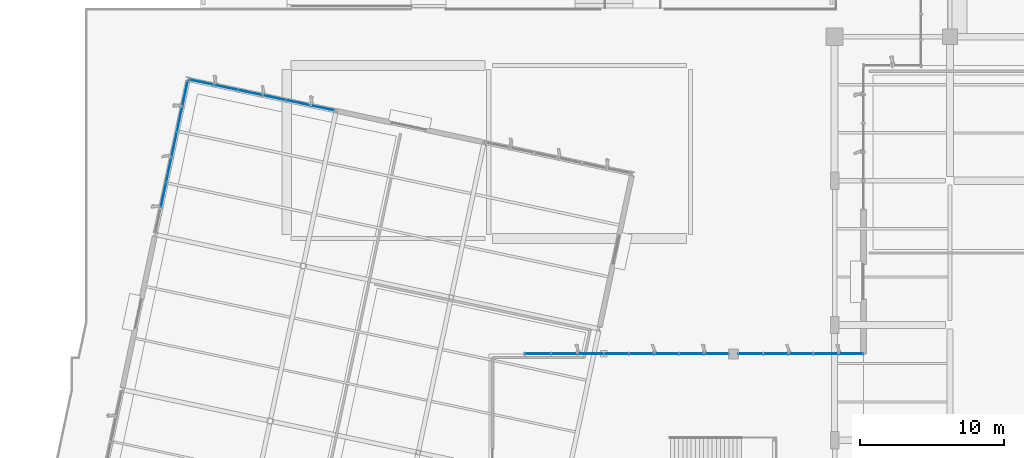
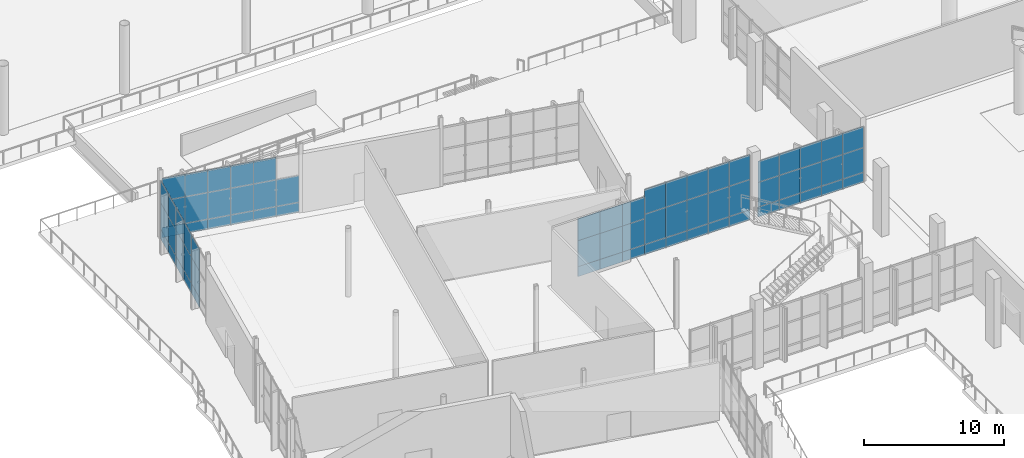
# One storey, part 112 of 163: 71 plates, 5 elements without a shape of their own.
"""IFC4 building model written with IfcOpenShell, lengths in metres."""

from ifc_helpers import new_model, si_unit, direction, frame, origin, origin_2d, place, context, subcontext, project, spatial, rectangle, extrude, material, layer, layer_set, type_object, element, aggregate, save


model = new_model("IFC4")

# Units and contexts
model_context = context("Model", 3, precision=1e-05, world=origin(), true_north=direction((0.0, 1.0)))
body_context = subcontext(model_context, "Body", "Model", "MODEL_VIEW")
ifc_project = project(units=[si_unit("LENGTHUNIT", "METRE"), si_unit("AREAUNIT", "SQUARE_METRE"), si_unit("VOLUMEUNIT", "CUBIC_METRE"), si_unit("PLANEANGLEUNIT", "RADIAN"), si_unit("MASSUNIT", "GRAM", prefix="KILO")], contexts=[model_context])

# Site, building, storey
site_placement = place(None, origin())
site = spatial("IfcSite", under=ifc_project, at=site_placement, CompositionType="ELEMENT")
building_placement = place(site_placement, origin())
building = spatial("IfcBuilding", under=site, at=building_placement, Name="Khorjan Park Terminus", CompositionType="ELEMENT")
storey_placement = place(building_placement, origin())
storey = spatial("IfcBuildingStorey", under=building, at=storey_placement, Name="L00", CompositionType="ELEMENT", Elevation=0.0)

# Curtain wall, plates
ifc_material_1 = material(Name="Anodized Bronze Aluminium", Category="aluminium")
ifc_layer_1 = layer(ifc_material_1, 0.22)
ifc_layer_set_1 = layer_set([ifc_layer_1], Name="Anodized Bronze Aluminium")
curtain_wall_type = type_object("IfcCurtainWallType", Name="CW-PAV-C", PredefinedType="NOTDEFINED", material=ifc_layer_set_1)
curtain_wall_1_placement = place(storey_placement, origin())
curtain_wall_1 = element("IfcCurtainWall", 1, at=curtain_wall_1_placement, inside=storey, type_object=curtain_wall_type, Name="Unitized curtain wall CW-C (CW-V4-N-L00-B03)", PredefinedType="NOTDEFINED")
ifc_material_2 = material(Name="Low-E Solar Control Double Glazing", Category="glass")
ifc_layer_2 = layer(ifc_material_2, 0.032)
ifc_layer_set_2 = layer_set([ifc_layer_2], Name="Low-E Solar Control Double Glazing")
plate_type_1 = type_object("IfcPlateType", Name="GL-VIS-32", PredefinedType="CURTAIN_PANEL", material=ifc_layer_set_2)
plate_1_placement = place(storey_placement, frame((12.4661, 83.0579, 0.8499), z_axis=(0.0, 0.0, 1.0), x_axis=(-0.978147146591, 0.207913827382, 0.0)))
plate_1 = element("IfcPlate", 2, at=plate_1_placement, type_object=plate_type_1, Name="Curtain-wall panel VP-32 (CW-V4-N-L00-B03-0-2)", PredefinedType="CURTAIN_PANEL", context=body_context, shape_type="SweptSolid", body=[
    extrude(rectangle(XDim=1.7084, YDim=0.032, at=origin_2d()), origin(), (0.0, 0.0, 1.0), 2.3275),
])
plate_2_placement = place(storey_placement, frame((10.7951, 83.4131, 0.8499), z_axis=(0.0, 0.0, 1.0), x_axis=(-0.978147146591, 0.207913827382, 0.0)))
plate_2 = element("IfcPlate", 3, at=plate_2_placement, type_object=plate_type_1, Name="Curtain-wall panel VP-32 (CW-V4-N-L00-B03-1-2)", PredefinedType="CURTAIN_PANEL", context=body_context, shape_type="SweptSolid", body=[
    extrude(rectangle(XDim=1.7084, YDim=0.032, at=origin_2d()), origin(), (0.0, 0.0, 1.0), 2.3275),
])
plate_3_placement = place(storey_placement, frame((10.7951, 83.4131, 3.1775), z_axis=(0.0, 0.0, 1.0), x_axis=(-0.978147146591, 0.207913827382, 0.0)))
plate_3 = element("IfcPlate", 4, at=plate_3_placement, type_object=plate_type_1, Name="Curtain-wall panel VP-32 (CW-V4-N-L00-B03-1-3)", PredefinedType="CURTAIN_PANEL", context=body_context, shape_type="SweptSolid", body=[
    extrude(rectangle(XDim=1.7084, YDim=0.032, at=origin_2d()), origin(), (0.0, 0.0, 1.0), 1.9575),
])
plate_4_placement = place(storey_placement, frame((9.1241, 83.7683, 0.8499), z_axis=(0.0, 0.0, 1.0), x_axis=(-0.978147146591, 0.207913827382, 0.0)))
plate_4 = element("IfcPlate", 5, at=plate_4_placement, type_object=plate_type_1, Name="Curtain-wall panel VP-32 (CW-V4-N-L00-B03-2-2)", PredefinedType="CURTAIN_PANEL", context=body_context, shape_type="SweptSolid", body=[
    extrude(rectangle(XDim=1.7084, YDim=0.032, at=origin_2d()), origin(), (0.0, 0.0, 1.0), 2.3275),
])
plate_5_placement = place(storey_placement, frame((9.1241, 83.7683, 3.1775), z_axis=(0.0, 0.0, 1.0), x_axis=(-0.978147146591, 0.207913827382, 0.0)))
plate_5 = element("IfcPlate", 6, at=plate_5_placement, type_object=plate_type_1, Name="Curtain-wall panel VP-32 (CW-V4-N-L00-B03-2-3)", PredefinedType="CURTAIN_PANEL", context=body_context, shape_type="SweptSolid", body=[
    extrude(rectangle(XDim=1.7084, YDim=0.032, at=origin_2d()), origin(), (0.0, 0.0, 1.0), 1.9575),
])
plate_6_placement = place(storey_placement, frame((7.453, 84.1235, 0.8499), z_axis=(0.0, 0.0, 1.0), x_axis=(-0.978147146591, 0.207913827382, 0.0)))
plate_6 = element("IfcPlate", 7, at=plate_6_placement, type_object=plate_type_1, Name="Curtain-wall panel VP-32 (CW-V4-N-L00-B03-3-2)", PredefinedType="CURTAIN_PANEL", context=body_context, shape_type="SweptSolid", body=[
    extrude(rectangle(XDim=1.7084, YDim=0.032, at=origin_2d()), origin(), (0.0, 0.0, 1.0), 2.3275),
])
plate_7_placement = place(storey_placement, frame((7.453, 84.1235, 3.1775), z_axis=(0.0, 0.0, 1.0), x_axis=(-0.978147146591, 0.207913827382, 0.0)))
plate_7 = element("IfcPlate", 8, at=plate_7_placement, type_object=plate_type_1, Name="Curtain-wall panel VP-32 (CW-V4-N-L00-B03-3-3)", PredefinedType="CURTAIN_PANEL", context=body_context, shape_type="SweptSolid", body=[
    extrude(rectangle(XDim=1.7084, YDim=0.032, at=origin_2d()), origin(), (0.0, 0.0, 1.0), 1.9575),
])
plate_8_placement = place(storey_placement, frame((5.7819, 84.4787, 0.8499), z_axis=(0.0, 0.0, 1.0), x_axis=(-0.978147146591, 0.207913827382, 0.0)))
plate_8 = element("IfcPlate", 9, at=plate_8_placement, type_object=plate_type_1, Name="Curtain-wall panel VP-32 (CW-V4-N-L00-B03-4-2)", PredefinedType="CURTAIN_PANEL", context=body_context, shape_type="SweptSolid", body=[
    extrude(rectangle(XDim=1.7084, YDim=0.032, at=origin_2d()), origin(), (0.0, 0.0, 1.0), 2.3275),
])
plate_9_placement = place(storey_placement, frame((5.7819, 84.4787, 3.1775), z_axis=(0.0, 0.0, 1.0), x_axis=(-0.978147146591, 0.207913827382, 0.0)))
plate_9 = element("IfcPlate", 10, at=plate_9_placement, type_object=plate_type_1, Name="Curtain-wall panel VP-32 (CW-V4-N-L00-B03-4-3)", PredefinedType="CURTAIN_PANEL", context=body_context, shape_type="SweptSolid", body=[
    extrude(rectangle(XDim=1.7084, YDim=0.032, at=origin_2d()), origin(), (0.0, 0.0, 1.0), 1.9575),
])
plate_10_placement = place(storey_placement, frame((4.1109, 84.8339, 0.8499), z_axis=(0.0, 0.0, 1.0), x_axis=(-0.978147146591, 0.207913827382, 0.0)))
plate_10 = element("IfcPlate", 11, at=plate_10_placement, type_object=plate_type_1, Name="Curtain-wall panel VP-32 (CW-V4-N-L00-B03-5-2)", PredefinedType="CURTAIN_PANEL", context=body_context, shape_type="SweptSolid", body=[
    extrude(rectangle(XDim=1.7084, YDim=0.032, at=origin_2d()), origin(), (0.0, 0.0, 1.0), 2.3275),
])
plate_11_placement = place(storey_placement, frame((4.1109, 84.8339, 3.1775), z_axis=(0.0, 0.0, 1.0), x_axis=(-0.978147146591, 0.207913827382, 0.0)))
plate_11 = element("IfcPlate", 12, at=plate_11_placement, type_object=plate_type_1, Name="Curtain-wall panel VP-32 (CW-V4-N-L00-B03-5-3)", PredefinedType="CURTAIN_PANEL", context=body_context, shape_type="SweptSolid", body=[
    extrude(rectangle(XDim=1.7084, YDim=0.032, at=origin_2d()), origin(), (0.0, 0.0, 1.0), 1.9575),
])

curtain_wall_2_placement = place(storey_placement, origin())
curtain_wall_2 = element("IfcCurtainWall", 13, at=curtain_wall_2_placement, inside=storey, type_object=curtain_wall_type, Name="Unitized curtain wall CW-C (CW-V4L-N-L00-1)", PredefinedType="NOTDEFINED")
ifc_material_3 = material(Name="Acoustic Laminated Solar Glazing", Category="glass")
ifc_layer_3 = layer(ifc_material_3, 0.036)
ifc_layer_set_3 = layer_set([ifc_layer_3], Name="Acoustic Laminated Solar Glazing")
plate_type_2 = type_object("IfcPlateType", Name="GL-VIS-36", PredefinedType="CURTAIN_PANEL", material=ifc_layer_set_3)
plate_12_placement = place(storey_placement, frame((31.0833, 66.0, 0.85), z_axis=(0.0, 0.0, 1.0), x_axis=(-1.0, 0.0, 0.0)))
plate_12 = element("IfcPlate", 14, at=plate_12_placement, type_object=plate_type_2, Name="Curtain-wall panel VP-36 (CW-V4L-N-L00-1-0-2)", PredefinedType="CURTAIN_PANEL", context=body_context, shape_type="SweptSolid", body=[
    extrude(rectangle(XDim=1.8333, YDim=0.036, at=origin_2d()), origin(), (0.0, 0.0, 1.0), 2.2593),
])
plate_13_placement = place(storey_placement, frame((31.0833, 66.0, 3.1092), z_axis=(0.0, 0.0, 1.0), x_axis=(-1.0, 0.0, 0.0)))
plate_13 = element("IfcPlate", 15, at=plate_13_placement, type_object=plate_type_2, Name="Curtain-wall panel VP-36 (CW-V4L-N-L00-1-0-3)", PredefinedType="CURTAIN_PANEL", context=body_context, shape_type="SweptSolid", body=[
    extrude(rectangle(XDim=1.8333, YDim=0.036, at=origin_2d()), origin(), (0.0, 0.0, 1.0), 1.9157),
])
plate_14_placement = place(storey_placement, frame((29.25, 66.0, 0.85), z_axis=(0.0, 0.0, 1.0), x_axis=(-1.0, 0.0, 0.0)))
plate_14 = element("IfcPlate", 16, at=plate_14_placement, type_object=plate_type_2, Name="Curtain-wall panel VP-36 (CW-V4L-N-L00-1-1-2)", PredefinedType="CURTAIN_PANEL", context=body_context, shape_type="SweptSolid", body=[
    extrude(rectangle(XDim=1.8333, YDim=0.036, at=origin_2d()), origin(), (0.0, 0.0, 1.0), 2.2593),
])
plate_15_placement = place(storey_placement, frame((29.25, 66.0, 3.1092), z_axis=(0.0, 0.0, 1.0), x_axis=(-1.0, 0.0, 0.0)))
plate_15 = element("IfcPlate", 17, at=plate_15_placement, type_object=plate_type_2, Name="Curtain-wall panel VP-36 (CW-V4L-N-L00-1-1-3)", PredefinedType="CURTAIN_PANEL", context=body_context, shape_type="SweptSolid", body=[
    extrude(rectangle(XDim=1.8333, YDim=0.036, at=origin_2d()), origin(), (0.0, 0.0, 1.0), 1.9157),
])
plate_16_placement = place(storey_placement, frame((27.4167, 66.0, 0.85), z_axis=(0.0, 0.0, 1.0), x_axis=(-1.0, 0.0, 0.0)))
plate_16 = element("IfcPlate", 18, at=plate_16_placement, type_object=plate_type_2, Name="Curtain-wall panel VP-36 (CW-V4L-N-L00-1-2-2)", PredefinedType="CURTAIN_PANEL", context=body_context, shape_type="SweptSolid", body=[
    extrude(rectangle(XDim=1.8333, YDim=0.036, at=origin_2d()), origin(), (0.0, 0.0, 1.0), 2.2593),
])
plate_17_placement = place(storey_placement, frame((27.4167, 66.0, 3.1092), z_axis=(0.0, 0.0, 1.0), x_axis=(-1.0, 0.0, 0.0)))
plate_17 = element("IfcPlate", 19, at=plate_17_placement, type_object=plate_type_2, Name="Curtain-wall panel VP-36 (CW-V4L-N-L00-1-2-3)", PredefinedType="CURTAIN_PANEL", context=body_context, shape_type="SweptSolid", body=[
    extrude(rectangle(XDim=1.8333, YDim=0.036, at=origin_2d()), origin(), (0.0, 0.0, 1.0), 1.9157),
])

curtain_wall_3_placement = place(storey_placement, origin())
curtain_wall_3 = element("IfcCurtainWall", 20, at=curtain_wall_3_placement, inside=storey, type_object=curtain_wall_type, Name="Unitized curtain wall CW-C (CW-V4L-N-L00-2)", PredefinedType="NOTDEFINED")
plate_18_placement = place(storey_placement, frame((39.803, 66.0, 0.85), z_axis=(0.0, 0.0, 1.0), x_axis=(-1.0, 0.0, 0.0)))
plate_18 = element("IfcPlate", 21, at=plate_18_placement, type_object=plate_type_2, Name="Curtain-wall panel VP-36 (CW-V4L-N-L00-2-0-2)", PredefinedType="CURTAIN_PANEL", context=body_context, shape_type="SweptSolid", body=[
    extrude(rectangle(XDim=1.734, YDim=0.036, at=origin_2d()), origin(), (0.0, 0.0, 1.0), 2.6468),
])
plate_19_placement = place(storey_placement, frame((39.803, 66.0, 3.4968), z_axis=(0.0, 0.0, 1.0), x_axis=(-1.0, 0.0, 0.0)))
plate_19 = element("IfcPlate", 22, at=plate_19_placement, type_object=plate_type_2, Name="Curtain-wall panel VP-36 (CW-V4L-N-L00-2-0-3)", PredefinedType="CURTAIN_PANEL", context=body_context, shape_type="SweptSolid", body=[
    extrude(rectangle(XDim=1.734, YDim=0.036, at=origin_2d()), origin(), (0.0, 0.0, 1.0), 2.1532),
])
plate_20_placement = place(storey_placement, frame((38.069, 66.0, 0.85), z_axis=(0.0, 0.0, 1.0), x_axis=(-1.0, 0.0, 0.0)))
plate_20 = element("IfcPlate", 23, at=plate_20_placement, type_object=plate_type_2, Name="Curtain-wall panel VP-36 (CW-V4L-N-L00-2-1-2)", PredefinedType="CURTAIN_PANEL", context=body_context, shape_type="SweptSolid", body=[
    extrude(rectangle(XDim=1.734, YDim=0.036, at=origin_2d()), origin(), (0.0, 0.0, 1.0), 2.6468),
])
plate_21_placement = place(storey_placement, frame((38.069, 66.0, 3.4968), z_axis=(0.0, 0.0, 1.0), x_axis=(-1.0, 0.0, 0.0)))
plate_21 = element("IfcPlate", 24, at=plate_21_placement, type_object=plate_type_2, Name="Curtain-wall panel VP-36 (CW-V4L-N-L00-2-1-3)", PredefinedType="CURTAIN_PANEL", context=body_context, shape_type="SweptSolid", body=[
    extrude(rectangle(XDim=1.734, YDim=0.036, at=origin_2d()), origin(), (0.0, 0.0, 1.0), 2.1532),
])
plate_22_placement = place(storey_placement, frame((36.335, 66.0, 0.85), z_axis=(0.0, 0.0, 1.0), x_axis=(-1.0, 0.0, 0.0)))
plate_22 = element("IfcPlate", 25, at=plate_22_placement, type_object=plate_type_2, Name="Curtain-wall panel VP-36 (CW-V4L-N-L00-2-2-2)", PredefinedType="CURTAIN_PANEL", context=body_context, shape_type="SweptSolid", body=[
    extrude(rectangle(XDim=1.734, YDim=0.036, at=origin_2d()), origin(), (0.0, 0.0, 1.0), 2.6468),
])
plate_23_placement = place(storey_placement, frame((36.335, 66.0, 3.4968), z_axis=(0.0, 0.0, 1.0), x_axis=(-1.0, 0.0, 0.0)))
plate_23 = element("IfcPlate", 26, at=plate_23_placement, type_object=plate_type_2, Name="Curtain-wall panel VP-36 (CW-V4L-N-L00-2-2-3)", PredefinedType="CURTAIN_PANEL", context=body_context, shape_type="SweptSolid", body=[
    extrude(rectangle(XDim=1.734, YDim=0.036, at=origin_2d()), origin(), (0.0, 0.0, 1.0), 2.1532),
])
plate_24_placement = place(storey_placement, frame((34.601, 66.0, 0.85), z_axis=(0.0, 0.0, 1.0), x_axis=(-1.0, 0.0, 0.0)))
plate_24 = element("IfcPlate", 27, at=plate_24_placement, type_object=plate_type_2, Name="Curtain-wall panel VP-36 (CW-V4L-N-L00-2-3-2)", PredefinedType="CURTAIN_PANEL", context=body_context, shape_type="SweptSolid", body=[
    extrude(rectangle(XDim=1.734, YDim=0.036, at=origin_2d()), origin(), (0.0, 0.0, 1.0), 2.6468),
])
plate_25_placement = place(storey_placement, frame((34.601, 66.0, 3.4968), z_axis=(0.0, 0.0, 1.0), x_axis=(-1.0, 0.0, 0.0)))
plate_25 = element("IfcPlate", 28, at=plate_25_placement, type_object=plate_type_2, Name="Curtain-wall panel VP-36 (CW-V4L-N-L00-2-3-3)", PredefinedType="CURTAIN_PANEL", context=body_context, shape_type="SweptSolid", body=[
    extrude(rectangle(XDim=1.734, YDim=0.036, at=origin_2d()), origin(), (0.0, 0.0, 1.0), 2.1532),
])
plate_26_placement = place(storey_placement, frame((32.867, 66.0, 0.85), z_axis=(0.0, 0.0, 1.0), x_axis=(-1.0, 0.0, 0.0)))
plate_26 = element("IfcPlate", 29, at=plate_26_placement, type_object=plate_type_2, Name="Curtain-wall panel VP-36 (CW-V4L-N-L00-2-4-2)", PredefinedType="CURTAIN_PANEL", context=body_context, shape_type="SweptSolid", body=[
    extrude(rectangle(XDim=1.734, YDim=0.036, at=origin_2d()), origin(), (0.0, 0.0, 1.0), 2.6468),
])
plate_27_placement = place(storey_placement, frame((32.867, 66.0, 3.4968), z_axis=(0.0, 0.0, 1.0), x_axis=(-1.0, 0.0, 0.0)))
plate_27 = element("IfcPlate", 30, at=plate_27_placement, type_object=plate_type_2, Name="Curtain-wall panel VP-36 (CW-V4L-N-L00-2-4-3)", PredefinedType="CURTAIN_PANEL", context=body_context, shape_type="SweptSolid", body=[
    extrude(rectangle(XDim=1.734, YDim=0.036, at=origin_2d()), origin(), (0.0, 0.0, 1.0), 2.1532),
])

curtain_wall_4_placement = place(storey_placement, origin())
curtain_wall_4 = element("IfcCurtainWall", 31, at=curtain_wall_4_placement, inside=storey, type_object=curtain_wall_type, Name="Unitized curtain wall CW-C (CW-V4L-N-L00-3)", PredefinedType="NOTDEFINED")
plate_28_placement = place(storey_placement, frame((49.133, 66.0, 0.8499), z_axis=(0.0, 0.0, 1.0), x_axis=(-1.0, 0.0, 0.0)))
plate_28 = element("IfcPlate", 32, at=plate_28_placement, type_object=plate_type_2, Name="Curtain-wall panel VP-36 (CW-V4L-N-L00-3-0-2)", PredefinedType="CURTAIN_PANEL", context=body_context, shape_type="SweptSolid", body=[
    extrude(rectangle(XDim=1.734, YDim=0.036, at=origin_2d()), origin(), (0.0, 0.0, 1.0), 2.1415),
])
plate_29_placement = place(storey_placement, frame((49.133, 66.0, 2.9914), z_axis=(0.0, 0.0, 1.0), x_axis=(-1.0, 0.0, 0.0)))
plate_29 = element("IfcPlate", 33, at=plate_29_placement, type_object=plate_type_2, Name="Curtain-wall panel VP-36 (CW-V4L-N-L00-3-0-3)", PredefinedType="CURTAIN_PANEL", context=body_context, shape_type="SweptSolid", body=[
    extrude(rectangle(XDim=1.734, YDim=0.036, at=origin_2d()), origin(), (0.0, 0.0, 1.0), 1.8435),
])
plate_30_placement = place(storey_placement, frame((47.399, 66.0, 0.8499), z_axis=(0.0, 0.0, 1.0), x_axis=(-1.0, 0.0, 0.0)))
plate_30 = element("IfcPlate", 34, at=plate_30_placement, type_object=plate_type_2, Name="Curtain-wall panel VP-36 (CW-V4L-N-L00-3-1-2)", PredefinedType="CURTAIN_PANEL", context=body_context, shape_type="SweptSolid", body=[
    extrude(rectangle(XDim=1.734, YDim=0.036, at=origin_2d()), origin(), (0.0, 0.0, 1.0), 2.1415),
])
plate_31_placement = place(storey_placement, frame((47.399, 66.0, 2.9914), z_axis=(0.0, 0.0, 1.0), x_axis=(-1.0, 0.0, 0.0)))
plate_31 = element("IfcPlate", 35, at=plate_31_placement, type_object=plate_type_2, Name="Curtain-wall panel VP-36 (CW-V4L-N-L00-3-1-3)", PredefinedType="CURTAIN_PANEL", context=body_context, shape_type="SweptSolid", body=[
    extrude(rectangle(XDim=1.734, YDim=0.036, at=origin_2d()), origin(), (0.0, 0.0, 1.0), 1.8435),
])
plate_32_placement = place(storey_placement, frame((45.665, 66.0, 0.8499), z_axis=(0.0, 0.0, 1.0), x_axis=(-1.0, 0.0, 0.0)))
plate_32 = element("IfcPlate", 36, at=plate_32_placement, type_object=plate_type_2, Name="Curtain-wall panel VP-36 (CW-V4L-N-L00-3-2-2)", PredefinedType="CURTAIN_PANEL", context=body_context, shape_type="SweptSolid", body=[
    extrude(rectangle(XDim=1.734, YDim=0.036, at=origin_2d()), origin(), (0.0, 0.0, 1.0), 2.1415),
])
plate_33_placement = place(storey_placement, frame((45.665, 66.0, 2.9914), z_axis=(0.0, 0.0, 1.0), x_axis=(-1.0, 0.0, 0.0)))
plate_33 = element("IfcPlate", 37, at=plate_33_placement, type_object=plate_type_2, Name="Curtain-wall panel VP-36 (CW-V4L-N-L00-3-2-3)", PredefinedType="CURTAIN_PANEL", context=body_context, shape_type="SweptSolid", body=[
    extrude(rectangle(XDim=1.734, YDim=0.036, at=origin_2d()), origin(), (0.0, 0.0, 1.0), 1.8435),
])
plate_34_placement = place(storey_placement, frame((43.931, 66.0, 0.8499), z_axis=(0.0, 0.0, 1.0), x_axis=(-1.0, 0.0, 0.0)))
plate_34 = element("IfcPlate", 38, at=plate_34_placement, type_object=plate_type_2, Name="Curtain-wall panel VP-36 (CW-V4L-N-L00-3-3-2)", PredefinedType="CURTAIN_PANEL", context=body_context, shape_type="SweptSolid", body=[
    extrude(rectangle(XDim=1.734, YDim=0.036, at=origin_2d()), origin(), (0.0, 0.0, 1.0), 2.1415),
])
plate_35_placement = place(storey_placement, frame((43.931, 66.0, 2.9914), z_axis=(0.0, 0.0, 1.0), x_axis=(-1.0, 0.0, 0.0)))
plate_35 = element("IfcPlate", 39, at=plate_35_placement, type_object=plate_type_2, Name="Curtain-wall panel VP-36 (CW-V4L-N-L00-3-3-3)", PredefinedType="CURTAIN_PANEL", context=body_context, shape_type="SweptSolid", body=[
    extrude(rectangle(XDim=1.734, YDim=0.036, at=origin_2d()), origin(), (0.0, 0.0, 1.0), 1.8435),
])
plate_36_placement = place(storey_placement, frame((42.197, 66.0, 0.8499), z_axis=(0.0, 0.0, 1.0), x_axis=(-1.0, 0.0, 0.0)))
plate_36 = element("IfcPlate", 40, at=plate_36_placement, type_object=plate_type_2, Name="Curtain-wall panel VP-36 (CW-V4L-N-L00-3-4-2)", PredefinedType="CURTAIN_PANEL", context=body_context, shape_type="SweptSolid", body=[
    extrude(rectangle(XDim=1.734, YDim=0.036, at=origin_2d()), origin(), (0.0, 0.0, 1.0), 2.1415),
])
plate_37_placement = place(storey_placement, frame((42.197, 66.0, 2.9914), z_axis=(0.0, 0.0, 1.0), x_axis=(-1.0, 0.0, 0.0)))
plate_37 = element("IfcPlate", 41, at=plate_37_placement, type_object=plate_type_2, Name="Curtain-wall panel VP-36 (CW-V4L-N-L00-3-4-3)", PredefinedType="CURTAIN_PANEL", context=body_context, shape_type="SweptSolid", body=[
    extrude(rectangle(XDim=1.734, YDim=0.036, at=origin_2d()), origin(), (0.0, 0.0, 1.0), 1.8435),
])

curtain_wall_5_placement = place(storey_placement, origin())
curtain_wall_5 = element("IfcCurtainWall", 42, at=curtain_wall_5_placement, inside=storey, type_object=curtain_wall_type, Name="Unitized curtain wall CW-C (CW-V4-W-L00-B01)", PredefinedType="NOTDEFINED")
plate_38_placement = place(storey_placement, frame((2.9349, 84.0354, 0.85), z_axis=(0.0, 0.0, 1.0), x_axis=(-0.207916776669, -0.978146519689, 0.0)))
plate_38 = element("IfcPlate", 43, at=plate_38_placement, type_object=plate_type_2, Name="Curtain-wall panel VP-36 (CW-V4-W-L00-B01-0-2)", PredefinedType="CURTAIN_PANEL", context=body_context, shape_type="SweptSolid", body=[
    extrude(rectangle(XDim=1.7899, YDim=0.036, at=origin_2d()), origin(), (0.0, 0.0, 1.0), 2.2903),
])
plate_39_placement = place(storey_placement, frame((2.9349, 84.0354, 3.1402), z_axis=(0.0, 0.0, 1.0), x_axis=(-0.207916776669, -0.978146519689, 0.0)))
plate_39 = element("IfcPlate", 44, at=plate_39_placement, type_object=plate_type_2, Name="Curtain-wall panel VP-36 (CW-V4-W-L00-B01-0-3)", PredefinedType="CURTAIN_PANEL", context=body_context, shape_type="SweptSolid", body=[
    extrude(rectangle(XDim=1.7899, YDim=0.036, at=origin_2d()), origin(), (0.0, 0.0, 1.0), 1.9347),
])
plate_40_placement = place(storey_placement, frame((2.5628, 82.2846, 0.85), z_axis=(0.0, 0.0, 1.0), x_axis=(-0.207916776669, -0.978146519689, 0.0)))
plate_40 = element("IfcPlate", 45, at=plate_40_placement, type_object=plate_type_2, Name="Curtain-wall panel VP-36 (CW-V4-W-L00-B01-1-2)", PredefinedType="CURTAIN_PANEL", context=body_context, shape_type="SweptSolid", body=[
    extrude(rectangle(XDim=1.7899, YDim=0.036, at=origin_2d()), origin(), (0.0, 0.0, 1.0), 2.2903),
])
plate_41_placement = place(storey_placement, frame((2.5628, 82.2846, 3.1402), z_axis=(0.0, 0.0, 1.0), x_axis=(-0.207916776669, -0.978146519689, 0.0)))
plate_41 = element("IfcPlate", 46, at=plate_41_placement, type_object=plate_type_2, Name="Curtain-wall panel VP-36 (CW-V4-W-L00-B01-1-3)", PredefinedType="CURTAIN_PANEL", context=body_context, shape_type="SweptSolid", body=[
    extrude(rectangle(XDim=1.7899, YDim=0.036, at=origin_2d()), origin(), (0.0, 0.0, 1.0), 1.9347),
])
plate_42_placement = place(storey_placement, frame((2.1906, 80.5338, 0.85), z_axis=(0.0, 0.0, 1.0), x_axis=(-0.207916776669, -0.978146519689, 0.0)))
plate_42 = element("IfcPlate", 47, at=plate_42_placement, type_object=plate_type_2, Name="Curtain-wall panel VP-36 (CW-V4-W-L00-B01-2-2)", PredefinedType="CURTAIN_PANEL", context=body_context, shape_type="SweptSolid", body=[
    extrude(rectangle(XDim=1.7899, YDim=0.036, at=origin_2d()), origin(), (0.0, 0.0, 1.0), 2.2903),
])
plate_43_placement = place(storey_placement, frame((2.1906, 80.5338, 3.1402), z_axis=(0.0, 0.0, 1.0), x_axis=(-0.207916776669, -0.978146519689, 0.0)))
plate_43 = element("IfcPlate", 48, at=plate_43_placement, type_object=plate_type_2, Name="Curtain-wall panel VP-36 (CW-V4-W-L00-B01-2-3)", PredefinedType="CURTAIN_PANEL", context=body_context, shape_type="SweptSolid", body=[
    extrude(rectangle(XDim=1.7899, YDim=0.036, at=origin_2d()), origin(), (0.0, 0.0, 1.0), 1.9347),
])
plate_44_placement = place(storey_placement, frame((1.8185, 78.7831, 0.85), z_axis=(0.0, 0.0, 1.0), x_axis=(-0.207916776669, -0.978146519689, 0.0)))
plate_44 = element("IfcPlate", 49, at=plate_44_placement, type_object=plate_type_2, Name="Curtain-wall panel VP-36 (CW-V4-W-L00-B01-3-2)", PredefinedType="CURTAIN_PANEL", context=body_context, shape_type="SweptSolid", body=[
    extrude(rectangle(XDim=1.7899, YDim=0.036, at=origin_2d()), origin(), (0.0, 0.0, 1.0), 2.2903),
])
plate_45_placement = place(storey_placement, frame((1.8185, 78.7831, 3.1402), z_axis=(0.0, 0.0, 1.0), x_axis=(-0.207916776669, -0.978146519689, 0.0)))
plate_45 = element("IfcPlate", 50, at=plate_45_placement, type_object=plate_type_2, Name="Curtain-wall panel VP-36 (CW-V4-W-L00-B01-3-3)", PredefinedType="CURTAIN_PANEL", context=body_context, shape_type="SweptSolid", body=[
    extrude(rectangle(XDim=1.7899, YDim=0.036, at=origin_2d()), origin(), (0.0, 0.0, 1.0), 1.9347),
])
plate_46_placement = place(storey_placement, frame((1.4464, 77.0323, 0.85), z_axis=(0.0, 0.0, 1.0), x_axis=(-0.207916776669, -0.978146519689, 0.0)))
plate_46 = element("IfcPlate", 51, at=plate_46_placement, type_object=plate_type_2, Name="Curtain-wall panel VP-36 (CW-V4-W-L00-B01-4-2)", PredefinedType="CURTAIN_PANEL", context=body_context, shape_type="SweptSolid", body=[
    extrude(rectangle(XDim=1.7899, YDim=0.036, at=origin_2d()), origin(), (0.0, 0.0, 1.0), 2.2903),
])
plate_47_placement = place(storey_placement, frame((1.4464, 77.0323, 3.1402), z_axis=(0.0, 0.0, 1.0), x_axis=(-0.207916776669, -0.978146519689, 0.0)))
plate_47 = element("IfcPlate", 52, at=plate_47_placement, type_object=plate_type_2, Name="Curtain-wall panel VP-36 (CW-V4-W-L00-B01-4-3)", PredefinedType="CURTAIN_PANEL", context=body_context, shape_type="SweptSolid", body=[
    extrude(rectangle(XDim=1.7899, YDim=0.036, at=origin_2d()), origin(), (0.0, 0.0, 1.0), 1.9347),
])

# Plate
ifc_material_4 = material(Name="Insulated Anodized Bronze Spandrel Panel")
ifc_layer_4 = layer(ifc_material_4, 0.045)
ifc_layer_set_4 = layer_set([ifc_layer_4], Name="Insulated Anodized Bronze Spandrel Panel")
plate_type_3 = type_object("IfcPlateType", Name="SP-AL-45", PredefinedType="CURTAIN_PANEL", material=ifc_layer_set_4)
plate_48_placement = place(storey_placement, frame((31.0833, 66.0, -0.01), z_axis=(0.0, 0.0, 1.0), x_axis=(-1.0, 0.0, 0.0)))
plate_48 = element("IfcPlate", 53, at=plate_48_placement, type_object=plate_type_3, Name="Curtain-wall panel SP-A45 (CW-V4L-N-L00-1-0-1)", PredefinedType="CURTAIN_PANEL", context=body_context, shape_type="SweptSolid", body=[
    extrude(rectangle(XDim=1.8333, YDim=0.045, at=origin_2d()), origin(), (0.0, 0.0, 1.0), 0.86),
])

plate_49_placement = place(storey_placement, frame((29.25, 66.0, -0.01), z_axis=(0.0, 0.0, 1.0), x_axis=(-1.0, 0.0, 0.0)))
plate_49 = element("IfcPlate", 54, at=plate_49_placement, type_object=plate_type_3, Name="Curtain-wall panel SP-A45 (CW-V4L-N-L00-1-1-1)", PredefinedType="CURTAIN_PANEL", context=body_context, shape_type="SweptSolid", body=[
    extrude(rectangle(XDim=1.8333, YDim=0.045, at=origin_2d()), origin(), (0.0, 0.0, 1.0), 0.86),
])

plate_50_placement = place(storey_placement, frame((27.4167, 66.0, -0.01), z_axis=(0.0, 0.0, 1.0), x_axis=(-1.0, 0.0, 0.0)))
plate_50 = element("IfcPlate", 55, at=plate_50_placement, type_object=plate_type_3, Name="Curtain-wall panel SP-A45 (CW-V4L-N-L00-1-2-1)", PredefinedType="CURTAIN_PANEL", context=body_context, shape_type="SweptSolid", body=[
    extrude(rectangle(XDim=1.8333, YDim=0.045, at=origin_2d()), origin(), (0.0, 0.0, 1.0), 0.86),
])

aggregate(curtain_wall_2, [plate_48, plate_12, plate_13, plate_49, plate_14, plate_15, plate_50, plate_16, plate_17])

plate_51_placement = place(storey_placement, frame((39.803, 66.0, -0.01), z_axis=(0.0, 0.0, 1.0), x_axis=(-1.0, 0.0, 0.0)))
plate_51 = element("IfcPlate", 56, at=plate_51_placement, type_object=plate_type_3, Name="Curtain-wall panel SP-A45 (CW-V4L-N-L00-2-0-1)", PredefinedType="CURTAIN_PANEL", context=body_context, shape_type="SweptSolid", body=[
    extrude(rectangle(XDim=1.734, YDim=0.045, at=origin_2d()), origin(), (0.0, 0.0, 1.0), 0.86),
])

plate_52_placement = place(storey_placement, frame((38.069, 66.0, -0.01), z_axis=(0.0, 0.0, 1.0), x_axis=(-1.0, 0.0, 0.0)))
plate_52 = element("IfcPlate", 57, at=plate_52_placement, type_object=plate_type_3, Name="Curtain-wall panel SP-A45 (CW-V4L-N-L00-2-1-1)", PredefinedType="CURTAIN_PANEL", context=body_context, shape_type="SweptSolid", body=[
    extrude(rectangle(XDim=1.734, YDim=0.045, at=origin_2d()), origin(), (0.0, 0.0, 1.0), 0.86),
])

plate_53_placement = place(storey_placement, frame((36.335, 66.0, -0.01), z_axis=(0.0, 0.0, 1.0), x_axis=(-1.0, 0.0, 0.0)))
plate_53 = element("IfcPlate", 58, at=plate_53_placement, type_object=plate_type_3, Name="Curtain-wall panel SP-A45 (CW-V4L-N-L00-2-2-1)", PredefinedType="CURTAIN_PANEL", context=body_context, shape_type="SweptSolid", body=[
    extrude(rectangle(XDim=1.734, YDim=0.045, at=origin_2d()), origin(), (0.0, 0.0, 1.0), 0.86),
])

plate_54_placement = place(storey_placement, frame((34.601, 66.0, -0.01), z_axis=(0.0, 0.0, 1.0), x_axis=(-1.0, 0.0, 0.0)))
plate_54 = element("IfcPlate", 59, at=plate_54_placement, type_object=plate_type_3, Name="Curtain-wall panel SP-A45 (CW-V4L-N-L00-2-3-1)", PredefinedType="CURTAIN_PANEL", context=body_context, shape_type="SweptSolid", body=[
    extrude(rectangle(XDim=1.734, YDim=0.045, at=origin_2d()), origin(), (0.0, 0.0, 1.0), 0.86),
])

plate_55_placement = place(storey_placement, frame((32.867, 66.0, -0.01), z_axis=(0.0, 0.0, 1.0), x_axis=(-1.0, 0.0, 0.0)))
plate_55 = element("IfcPlate", 60, at=plate_55_placement, type_object=plate_type_3, Name="Curtain-wall panel SP-A45 (CW-V4L-N-L00-2-4-1)", PredefinedType="CURTAIN_PANEL", context=body_context, shape_type="SweptSolid", body=[
    extrude(rectangle(XDim=1.734, YDim=0.045, at=origin_2d()), origin(), (0.0, 0.0, 1.0), 0.86),
])

aggregate(curtain_wall_3, [plate_51, plate_18, plate_19, plate_52, plate_20, plate_21, plate_53, plate_22, plate_23, plate_54, plate_24, plate_25, plate_55, plate_26, plate_27])

plate_56_placement = place(storey_placement, frame((49.133, 66.0, -0.01), z_axis=(0.0, 0.0, 1.0), x_axis=(-1.0, 0.0, 0.0)))
plate_56 = element("IfcPlate", 61, at=plate_56_placement, type_object=plate_type_3, Name="Curtain-wall panel SP-A45 (CW-V4L-N-L00-3-0-1)", PredefinedType="CURTAIN_PANEL", context=body_context, shape_type="SweptSolid", body=[
    extrude(rectangle(XDim=1.734, YDim=0.045, at=origin_2d()), origin(), (0.0, 0.0, 1.0), 0.86),
])

plate_57_placement = place(storey_placement, frame((47.399, 66.0, -0.01), z_axis=(0.0, 0.0, 1.0), x_axis=(-1.0, 0.0, 0.0)))
plate_57 = element("IfcPlate", 62, at=plate_57_placement, type_object=plate_type_3, Name="Curtain-wall panel SP-A45 (CW-V4L-N-L00-3-1-1)", PredefinedType="CURTAIN_PANEL", context=body_context, shape_type="SweptSolid", body=[
    extrude(rectangle(XDim=1.734, YDim=0.045, at=origin_2d()), origin(), (0.0, 0.0, 1.0), 0.86),
])

plate_58_placement = place(storey_placement, frame((45.665, 66.0, -0.01), z_axis=(0.0, 0.0, 1.0), x_axis=(-1.0, 0.0, 0.0)))
plate_58 = element("IfcPlate", 63, at=plate_58_placement, type_object=plate_type_3, Name="Curtain-wall panel SP-A45 (CW-V4L-N-L00-3-2-1)", PredefinedType="CURTAIN_PANEL", context=body_context, shape_type="SweptSolid", body=[
    extrude(rectangle(XDim=1.734, YDim=0.045, at=origin_2d()), origin(), (0.0, 0.0, 1.0), 0.86),
])

plate_59_placement = place(storey_placement, frame((43.931, 66.0, -0.01), z_axis=(0.0, 0.0, 1.0), x_axis=(-1.0, 0.0, 0.0)))
plate_59 = element("IfcPlate", 64, at=plate_59_placement, type_object=plate_type_3, Name="Curtain-wall panel SP-A45 (CW-V4L-N-L00-3-3-1)", PredefinedType="CURTAIN_PANEL", context=body_context, shape_type="SweptSolid", body=[
    extrude(rectangle(XDim=1.734, YDim=0.045, at=origin_2d()), origin(), (0.0, 0.0, 1.0), 0.86),
])

plate_60_placement = place(storey_placement, frame((42.197, 66.0, -0.01), z_axis=(0.0, 0.0, 1.0), x_axis=(-1.0, 0.0, 0.0)))
plate_60 = element("IfcPlate", 65, at=plate_60_placement, type_object=plate_type_3, Name="Curtain-wall panel SP-A45 (CW-V4L-N-L00-3-4-1)", PredefinedType="CURTAIN_PANEL", context=body_context, shape_type="SweptSolid", body=[
    extrude(rectangle(XDim=1.734, YDim=0.045, at=origin_2d()), origin(), (0.0, 0.0, 1.0), 0.86),
])

aggregate(curtain_wall_4, [plate_56, plate_28, plate_29, plate_57, plate_30, plate_31, plate_58, plate_32, plate_33, plate_59, plate_34, plate_35, plate_60, plate_36, plate_37])

plate_61_placement = place(storey_placement, frame((12.4661, 83.0579, -0.01), z_axis=(0.0, 0.0, 1.0), x_axis=(-0.978147146591, 0.207913827382, 0.0)))
plate_61 = element("IfcPlate", 66, at=plate_61_placement, type_object=plate_type_3, Name="Curtain-wall panel SP-A45 (CW-V4-N-L00-B03-0-1)", PredefinedType="CURTAIN_PANEL", context=body_context, shape_type="SweptSolid", body=[
    extrude(rectangle(XDim=1.7084, YDim=0.045, at=origin_2d()), origin(), (0.0, 0.0, 1.0), 0.86),
])

plate_62_placement = place(storey_placement, frame((10.7951, 83.4131, -0.01), z_axis=(0.0, 0.0, 1.0), x_axis=(-0.978147146591, 0.207913827382, 0.0)))
plate_62 = element("IfcPlate", 67, at=plate_62_placement, type_object=plate_type_3, Name="Curtain-wall panel SP-A45 (CW-V4-N-L00-B03-1-1)", PredefinedType="CURTAIN_PANEL", context=body_context, shape_type="SweptSolid", body=[
    extrude(rectangle(XDim=1.7084, YDim=0.045, at=origin_2d()), origin(), (0.0, 0.0, 1.0), 0.86),
])

plate_63_placement = place(storey_placement, frame((9.1241, 83.7683, -0.01), z_axis=(0.0, 0.0, 1.0), x_axis=(-0.978147146591, 0.207913827382, 0.0)))
plate_63 = element("IfcPlate", 68, at=plate_63_placement, type_object=plate_type_3, Name="Curtain-wall panel SP-A45 (CW-V4-N-L00-B03-2-1)", PredefinedType="CURTAIN_PANEL", context=body_context, shape_type="SweptSolid", body=[
    extrude(rectangle(XDim=1.7084, YDim=0.045, at=origin_2d()), origin(), (0.0, 0.0, 1.0), 0.86),
])

plate_64_placement = place(storey_placement, frame((7.453, 84.1235, -0.01), z_axis=(0.0, 0.0, 1.0), x_axis=(-0.978147146591, 0.207913827382, 0.0)))
plate_64 = element("IfcPlate", 69, at=plate_64_placement, type_object=plate_type_3, Name="Curtain-wall panel SP-A45 (CW-V4-N-L00-B03-3-1)", PredefinedType="CURTAIN_PANEL", context=body_context, shape_type="SweptSolid", body=[
    extrude(rectangle(XDim=1.7084, YDim=0.045, at=origin_2d()), origin(), (0.0, 0.0, 1.0), 0.86),
])

plate_65_placement = place(storey_placement, frame((5.7819, 84.4787, -0.01), z_axis=(0.0, 0.0, 1.0), x_axis=(-0.978147146591, 0.207913827382, 0.0)))
plate_65 = element("IfcPlate", 70, at=plate_65_placement, type_object=plate_type_3, Name="Curtain-wall panel SP-A45 (CW-V4-N-L00-B03-4-1)", PredefinedType="CURTAIN_PANEL", context=body_context, shape_type="SweptSolid", body=[
    extrude(rectangle(XDim=1.7084, YDim=0.045, at=origin_2d()), origin(), (0.0, 0.0, 1.0), 0.86),
])

plate_66_placement = place(storey_placement, frame((4.1109, 84.8339, -0.01), z_axis=(0.0, 0.0, 1.0), x_axis=(-0.978147146591, 0.207913827382, 0.0)))
plate_66 = element("IfcPlate", 71, at=plate_66_placement, type_object=plate_type_3, Name="Curtain-wall panel SP-A45 (CW-V4-N-L00-B03-5-1)", PredefinedType="CURTAIN_PANEL", context=body_context, shape_type="SweptSolid", body=[
    extrude(rectangle(XDim=1.7084, YDim=0.045, at=origin_2d()), origin(), (0.0, 0.0, 1.0), 0.86),
])

aggregate(curtain_wall_1, [plate_61, plate_1, plate_62, plate_2, plate_3, plate_63, plate_4, plate_5, plate_64, plate_6, plate_7, plate_65, plate_8, plate_9, plate_66, plate_10, plate_11])

plate_67_placement = place(storey_placement, frame((2.9349, 84.0354, -0.01), z_axis=(0.0, 0.0, 1.0), x_axis=(-0.207916776669, -0.978146519689, 0.0)))
plate_67 = element("IfcPlate", 72, at=plate_67_placement, type_object=plate_type_3, Name="Curtain-wall panel SP-A45 (CW-V4-W-L00-B01-0-1)", PredefinedType="CURTAIN_PANEL", context=body_context, shape_type="SweptSolid", body=[
    extrude(rectangle(XDim=1.7899, YDim=0.045, at=origin_2d()), origin(), (0.0, 0.0, 1.0), 0.86),
])

plate_68_placement = place(storey_placement, frame((2.5628, 82.2846, -0.01), z_axis=(0.0, 0.0, 1.0), x_axis=(-0.207916776669, -0.978146519689, 0.0)))
plate_68 = element("IfcPlate", 73, at=plate_68_placement, type_object=plate_type_3, Name="Curtain-wall panel SP-A45 (CW-V4-W-L00-B01-1-1)", PredefinedType="CURTAIN_PANEL", context=body_context, shape_type="SweptSolid", body=[
    extrude(rectangle(XDim=1.7899, YDim=0.045, at=origin_2d()), origin(), (0.0, 0.0, 1.0), 0.86),
])

plate_69_placement = place(storey_placement, frame((2.1906, 80.5338, -0.01), z_axis=(0.0, 0.0, 1.0), x_axis=(-0.207916776669, -0.978146519689, 0.0)))
plate_69 = element("IfcPlate", 74, at=plate_69_placement, type_object=plate_type_3, Name="Curtain-wall panel SP-A45 (CW-V4-W-L00-B01-2-1)", PredefinedType="CURTAIN_PANEL", context=body_context, shape_type="SweptSolid", body=[
    extrude(rectangle(XDim=1.7899, YDim=0.045, at=origin_2d()), origin(), (0.0, 0.0, 1.0), 0.86),
])

plate_70_placement = place(storey_placement, frame((1.8185, 78.7831, -0.01), z_axis=(0.0, 0.0, 1.0), x_axis=(-0.207916776669, -0.978146519689, 0.0)))
plate_70 = element("IfcPlate", 75, at=plate_70_placement, type_object=plate_type_3, Name="Curtain-wall panel SP-A45 (CW-V4-W-L00-B01-3-1)", PredefinedType="CURTAIN_PANEL", context=body_context, shape_type="SweptSolid", body=[
    extrude(rectangle(XDim=1.7899, YDim=0.045, at=origin_2d()), origin(), (0.0, 0.0, 1.0), 0.86),
])

plate_71_placement = place(storey_placement, frame((1.4464, 77.0323, -0.01), z_axis=(0.0, 0.0, 1.0), x_axis=(-0.207916776669, -0.978146519689, 0.0)))
plate_71 = element("IfcPlate", 76, at=plate_71_placement, type_object=plate_type_3, Name="Curtain-wall panel SP-A45 (CW-V4-W-L00-B01-4-1)", PredefinedType="CURTAIN_PANEL", context=body_context, shape_type="SweptSolid", body=[
    extrude(rectangle(XDim=1.7899, YDim=0.045, at=origin_2d()), origin(), (0.0, 0.0, 1.0), 0.86),
])

aggregate(curtain_wall_5, [plate_67, plate_38, plate_39, plate_68, plate_40, plate_41, plate_69, plate_42, plate_43, plate_70, plate_44, plate_45, plate_71, plate_46, plate_47])

save(model, "model.ifc")
